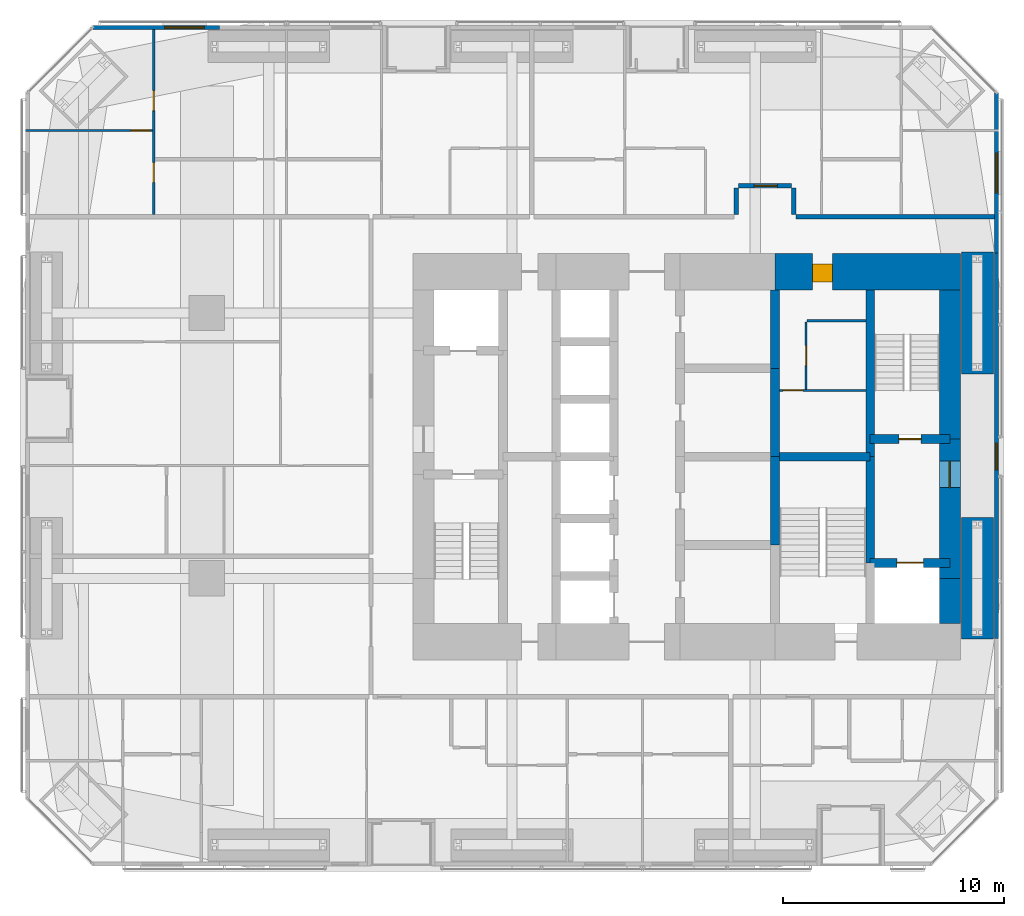
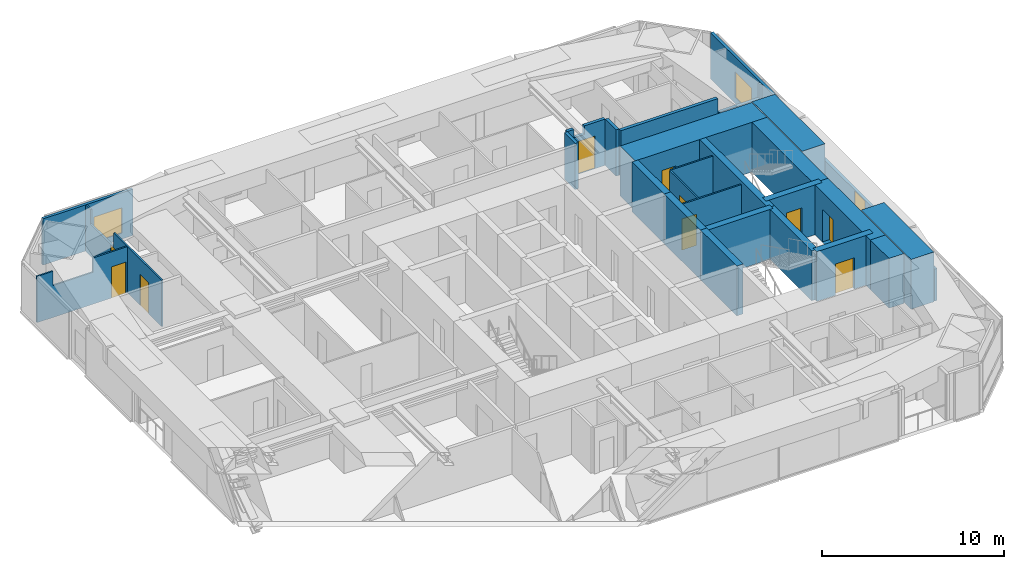
# One storey, part 19 of 22: 26 walls, 10 doors, 3 windows, 13 openings.
"""IFC4 building model written with IfcOpenShell, lengths in metres."""

from ifc_helpers import new_model, si_unit, direction, frame, frame_2d, origin, place, context, subcontext, project, spatial, polyline, rectangle, outline, extrude, material, layer, layer_set, constituent, constituent_set, type_object, element, fill, save


model = new_model("IFC4")

# Units and contexts
model_context = context("Model", 3, precision=1e-05, world=origin(), true_north=direction((0.0, 1.0)))
body_context = subcontext(model_context, "Body", "Model", "MODEL_VIEW")
ifc_project = project(units=[si_unit("LENGTHUNIT", "METRE"), si_unit("AREAUNIT", "SQUARE_METRE"), si_unit("VOLUMEUNIT", "CUBIC_METRE"), si_unit("PLANEANGLEUNIT", "RADIAN"), si_unit("MASSUNIT", "GRAM", prefix="KILO")], contexts=[model_context])

# Site, building, storey
site_placement = place(None, origin())
site = spatial("IfcSite", under=ifc_project, at=site_placement, CompositionType="ELEMENT")
building_placement = place(site_placement, origin())
building = spatial("IfcBuilding", under=site, at=building_placement, Name="Jalousie Tower", CompositionType="ELEMENT")
storey_placement = place(building_placement, frame((0.0, 0.0, 67.89990234375)))
storey = spatial("IfcBuildingStorey", under=building, at=storey_placement, Name="L18", CompositionType="ELEMENT", Elevation=67.89990234375)

# Wall, opening, door
ifc_material_1 = material(Name="Concrete f'c 120 MPa", Category="concrete")
ifc_layer_1 = layer(ifc_material_1, 1.64990234375)
ifc_layer_set_1 = layer_set([ifc_layer_1], Name="Concrete f'c 120 MPa")
wall_type_1 = type_object("IfcWallType", Name="CORE WALL 1650", PredefinedType="SHEAR", material=ifc_layer_set_1)
wall_1_placement = place(storey_placement, frame((44.27490234375, 26.875, 0.0), z_axis=(0.0, 0.0, 1.0), x_axis=(-1.0, 0.0, 0.0)))
wall_1 = element("IfcWall", 1, at=wall_1_placement, inside=storey, type_object=wall_type_1, Name="Core wall NA L18", PredefinedType="SHEAR", context=body_context, shape_type="SweptSolid", body=[
    extrude(rectangle(XDim=8.375, YDim=1.64990234375, at=frame_2d((4.1875, 0.0))), origin(), (0.0, 0.0, 1.0), 3.35009765625),
])
opening_1_placement = place(wall_1_placement, frame((5.77490234375, 0.0, 0.0)))
opening_1 = element("IfcOpeningElement", 2, at=opening_1_placement, cuts=wall_1, Name="Opening D25", PredefinedType="OPENING", context=body_context, shape_type="SweptSolid", body=[
    extrude(rectangle(XDim=0.89990234375, YDim=2.10009765625, at=frame_2d((0.449951171875, 1.050048828125))), frame((0.0, 0.8349609375, 0.0), z_axis=(0.0, -1.0, 0.0), x_axis=(1.0, 0.0, 0.0)), (0.0, 0.0, 1.0), 1.669921875),
])
ifc_material_2 = material(Name="Steel fire door", Category="steel")
door_type_1 = type_object("IfcDoorType", Name="SERVICE LOBBY DOOR 900", OperationType="SINGLE_SWING_LEFT", PredefinedType="DOOR", material=ifc_material_2)
door_1_placement = place(opening_1_placement, origin())
door_1 = element("IfcDoor", 3, at=door_1_placement, inside=storey, type_object=door_type_1, Name="Service lobby door", OperationType="SINGLE_SWING_RIGHT", OverallHeight=2.10009765625, OverallWidth=0.89990234375, PredefinedType="DOOR", context=body_context, shape_type="SweptSolid", body=[
    extrude(rectangle(XDim=0.89990234375, YDim=2.10009765625, at=frame_2d((0.449951171875, 1.050048828125))), frame((0.0, 0.47021484375, 0.0), z_axis=(0.0, -1.0, 0.0), x_axis=(1.0, 0.0, 0.0)), (0.0, 0.0, 1.0), 0.800048828125),
])
fill(opening_1, door_1)

# Walls
ifc_material_3 = material(Name="Concrete f'c 120 MPa", Category="concrete")
ifc_layer_2 = layer(ifc_material_3, 0.39990234375)
ifc_layer_set_2 = layer_set([ifc_layer_2], Name="Concrete f'c 120 MPa")
wall_type_2 = type_object("IfcWallType", Name="CORE WALL 400", PredefinedType="SHEAR", material=ifc_layer_set_2)
for number, where, z_axis, x_axis, name in (
    (4, (35.89990234375, 14.5, 0.0), (0.0, 0.0, 1.0), (0.0, 1.0, 0.0), "Core wall X35.9B L18"),
    (5, (35.89990234375, 18.5, 0.0), (0.0, 0.0, 1.0), (0.0, 1.0, 0.0), "Core wall X35.9C L18"),
):
    element("IfcWall", number, at=place(storey_placement, frame(where, z_axis=z_axis, x_axis=x_axis)), inside=storey, type_object=wall_type_2, Name=name, PredefinedType="SHEAR", context=body_context, shape_type="SweptSolid", body=[
        extrude(rectangle(XDim=4.0, YDim=0.39990234375, at=frame_2d((2.0, 0.0))), origin(), (0.0, 0.0, 1.0), 3.35009765625),
    ])
wall_2_placement = place(storey_placement, frame((35.89990234375, 22.5, 0.0), z_axis=(0.0, 0.0, 1.0), x_axis=(0.0, 1.0, 0.0)))
element("IfcWall", 6, at=wall_2_placement, inside=storey, type_object=wall_type_2, Name="Core wall X35.9D L18", PredefinedType="SHEAR", context=body_context, shape_type="SweptSolid", body=[
    extrude(rectangle(XDim=3.550048828125, YDim=0.39990234375, at=frame_2d((1.77490234375, 0.0))), origin(), (0.0, 0.0, 1.0), 3.35009765625),
])
wall_3_placement = place(storey_placement, frame((40.199951171875, 13.699951171875, 0.0), z_axis=(0.0, 0.0, 1.0), x_axis=(0.0, 1.0, 0.0)))
element("IfcWall", 7, at=wall_3_placement, inside=storey, type_object=wall_type_2, Name="Core wall X40.2B L18", PredefinedType="SHEAR", context=body_context, shape_type="SweptSolid", body=[
    extrude(rectangle(XDim=4.800048828125, YDim=0.39990234375, at=frame_2d((2.39990234375, 0.0))), origin(), (0.0, 0.0, 1.0), 3.35009765625),
])
wall_4_placement = place(storey_placement, frame((40.199951171875, 18.5, 0.0), z_axis=(0.0, 0.0, 1.0), x_axis=(0.0, 1.0, 0.0)))
element("IfcWall", 8, at=wall_4_placement, inside=storey, type_object=wall_type_2, Name="Core wall X40.2C L18", PredefinedType="SHEAR", context=body_context, shape_type="SweptSolid", body=[
    extrude(rectangle(XDim=7.550048828125, YDim=0.39990234375, at=frame_2d((3.77490234375, 0.0))), origin(), (0.0, 0.0, 1.0), 3.35009765625),
])
wall_5_placement = place(storey_placement, frame((35.89990234375, 18.5, 0.0), z_axis=(0.0, 0.0, 1.0), x_axis=(1.0, 0.0, 0.0)))
element("IfcWall", 9, at=wall_5_placement, inside=storey, type_object=wall_type_2, Name="Core wall Y35.9-18.5 L18", PredefinedType="SHEAR", context=body_context, shape_type="SweptSolid", body=[
    extrude(rectangle(XDim=4.300048828125, YDim=0.39990234375, at=frame_2d((2.14990234375, 0.0))), origin(), (0.0, 0.0, 1.0), 3.35009765625),
])

# Wall, opening, door
wall_6_placement = place(storey_placement, frame((40.199951171875, 13.699951171875, 0.0), z_axis=(0.0, 0.0, 1.0), x_axis=(1.0, 0.0, 0.0)))
wall_6 = element("IfcWall", 10, at=wall_6_placement, inside=storey, type_object=wall_type_2, Name="Core wall Y40.2-13.7 L18", PredefinedType="SHEAR", context=body_context, shape_type="SweptSolid", body=[
    extrude(rectangle(XDim=3.60009765625, YDim=0.39990234375, at=frame_2d((1.800048828125, 0.0))), origin(), (0.0, 0.0, 1.0), 3.35009765625),
])
opening_2_placement = place(wall_6_placement, frame((1.199951171875, 0.0, 0.0)))
opening_2 = element("IfcOpeningElement", 11, at=opening_2_placement, cuts=wall_6, Name="Opening LD2", PredefinedType="OPENING", context=body_context, shape_type="SweptSolid", body=[
    extrude(rectangle(XDim=1.199951171875, YDim=2.10009765625, at=frame_2d((0.60009765625, 1.050048828125))), frame((0.0, 0.2099609375, 0.0), z_axis=(0.0, -1.0, 0.0), x_axis=(1.0, 0.0, 0.0)), (0.0, 0.0, 1.0), 0.419921875),
])
ifc_material_4 = material(Name="Steel lift landing door", Category="steel")
door_type_2 = type_object("IfcDoorType", Name="LIFT LANDING DOOR 1200", OperationType="SLIDING_TO_LEFT", PredefinedType="DOOR", material=ifc_material_4)
door_2_placement = place(opening_2_placement, origin())
door_2 = element("IfcDoor", 12, at=door_2_placement, inside=storey, type_object=door_type_2, Name="Lift F2 landing door", OperationType="SLIDING_TO_LEFT", OverallHeight=2.10009765625, OverallWidth=1.199951171875, PredefinedType="DOOR", context=body_context, shape_type="SweptSolid", body=[
    extrude(rectangle(XDim=1.199951171875, YDim=2.10009765625, at=frame_2d((0.60009765625, 1.050048828125))), frame((0.0, 0.02490234375, 0.0), z_axis=(0.0, -1.0, 0.0), x_axis=(1.0, 0.0, 0.0)), (0.0, 0.0, 1.0), 0.050048828125),
])
fill(opening_2, door_2)

wall_7_placement = place(storey_placement, frame((40.199951171875, 19.300048828125, 0.0), z_axis=(0.0, 0.0, 1.0), x_axis=(1.0, 0.0, 0.0)))
wall_7 = element("IfcWall", 13, at=wall_7_placement, inside=storey, type_object=wall_type_2, Name="Core wall Y40.2-19.3 L18", PredefinedType="SHEAR", context=body_context, shape_type="SweptSolid", body=[
    extrude(rectangle(XDim=3.60009765625, YDim=0.39990234375, at=frame_2d((1.800048828125, 0.0))), origin(), (0.0, 0.0, 1.0), 3.35009765625),
])
opening_3_placement = place(wall_7_placement, frame((1.300048828125, 0.0, 0.0)))
opening_3 = element("IfcOpeningElement", 14, at=opening_3_placement, cuts=wall_7, Name="Opening D10", PredefinedType="OPENING", context=body_context, shape_type="SweptSolid", body=[
    extrude(rectangle(XDim=1.0, YDim=2.10009765625, at=frame_2d((0.5, 1.050048828125))), frame((0.0, 0.2099609375, 0.0), z_axis=(0.0, -1.0, 0.0), x_axis=(1.0, 0.0, 0.0)), (0.0, 0.0, 1.0), 0.419921875),
])
ifc_material_5 = material(Name="Steel fire door", Category="steel")
door_type_3 = type_object("IfcDoorType", Name="STAIR DOOR 1000", OperationType="SINGLE_SWING_LEFT", PredefinedType="DOOR", material=ifc_material_5)
door_3_placement = place(opening_3_placement, origin())
door_3 = element("IfcDoor", 15, at=door_3_placement, inside=storey, type_object=door_type_3, Name="Exit stair B door", OperationType="SINGLE_SWING_RIGHT", OverallHeight=2.10009765625, OverallWidth=1.0, PredefinedType="DOOR", context=body_context, shape_type="SweptSolid", body=[
    extrude(rectangle(XDim=1.0, YDim=2.10009765625, at=frame_2d((0.5, 1.050048828125))), frame((0.0, 0.02490234375, 0.0), z_axis=(0.0, -1.0, 0.0), x_axis=(1.0, 0.0, 0.0)), (0.0, 0.0, 1.0), 0.050048828125),
])
fill(opening_3, door_3)

# Wall
ifc_material_6 = material(Name="Concrete f'c 120 MPa", Category="concrete")
ifc_layer_3 = layer(ifc_material_6, 0.949951171875)
ifc_layer_set_3 = layer_set([ifc_layer_3], Name="Concrete f'c 120 MPa")
wall_type_3 = type_object("IfcWallType", Name="CORE WALL 950", PredefinedType="SHEAR", material=ifc_layer_set_3)
wall_8_placement = place(storey_placement, frame((43.800048828125, 10.949951171875, 0.0), z_axis=(0.0, 0.0, 1.0), x_axis=(0.0, 1.0, 0.0)))
element("IfcWall", 16, at=wall_8_placement, inside=storey, type_object=wall_type_3, Name="Core wall EA L18", PredefinedType="SHEAR", context=body_context, shape_type="SweptSolid", body=[
    extrude(rectangle(XDim=2.050048828125, YDim=0.949951171875, at=frame_2d((1.02490234375, 0.0))), origin(), (0.0, 0.0, 1.0), 3.35009765625),
])

# Wall, opening, door
wall_9_placement = place(storey_placement, frame((43.800048828125, 13.0, 0.0), z_axis=(0.0, 0.0, 1.0), x_axis=(0.0, 1.0, 0.0)))
wall_9 = element("IfcWall", 17, at=wall_9_placement, inside=storey, type_object=wall_type_3, Name="Core wall EB L18", PredefinedType="SHEAR", context=body_context, shape_type="SweptSolid", body=[
    extrude(rectangle(XDim=6.300048828125, YDim=0.949951171875, at=frame_2d((3.14990234375, 0.0))), origin(), (0.0, 0.0, 1.0), 3.35009765625),
])
opening_4_placement = place(wall_9_placement, frame((4.10009765625, 0.0, 0.0)))
opening_4 = element("IfcOpeningElement", 18, at=opening_4_placement, cuts=wall_9, Name="Opening D11", PredefinedType="OPENING", context=body_context, shape_type="SweptSolid", body=[
    extrude(rectangle(XDim=1.199951171875, YDim=2.199951171875, at=frame_2d((0.60009765625, 1.10009765625))), frame((0.0, 0.48486328125, 0.0), z_axis=(0.0, -1.0, 0.0), x_axis=(1.0, 0.0, 0.0)), (0.0, 0.0, 1.0), 0.969970703125),
])
ifc_material_7 = material(Name="Steel fire door", Category="steel")
door_type_4 = type_object("IfcDoorType", Name="FIRE DOOR 1200", OperationType="SINGLE_SWING_LEFT", PredefinedType="DOOR", material=ifc_material_7)
door_4_placement = place(opening_4_placement, origin())
door_4 = element("IfcDoor", 19, at=door_4_placement, inside=storey, type_object=door_type_4, Name="Fire-fighting lobby B door", OperationType="SINGLE_SWING_RIGHT", OverallHeight=2.199951171875, OverallWidth=1.199951171875, PredefinedType="DOOR", context=body_context, shape_type="SweptSolid", body=[
    extrude(rectangle(XDim=1.199951171875, YDim=2.199951171875, at=frame_2d((0.60009765625, 1.10009765625))), frame((0.0, 0.02490234375, 0.0), z_axis=(0.0, -1.0, 0.0), x_axis=(1.0, 0.0, 0.0)), (0.0, 0.0, 1.0), 0.050048828125),
])
fill(opening_4, door_4)

# Walls
wall_10_placement = place(storey_placement, frame((43.800048828125, 19.300048828125, 0.0), z_axis=(0.0, 0.0, 1.0), x_axis=(0.0, 1.0, 0.0)))
element("IfcWall", 20, at=wall_10_placement, inside=storey, type_object=wall_type_3, Name="Core wall EC L18", PredefinedType="SHEAR", context=body_context, shape_type="SweptSolid", body=[
    extrude(rectangle(XDim=6.75, YDim=0.949951171875, at=frame_2d((3.375, 0.0))), origin(), (0.0, 0.0, 1.0), 3.35009765625),
])
ifc_material_8 = material(Name="Concrete block ASTM C90", Category="concrete")
ifc_constituent_1 = constituent(ifc_material_8, Name="Body")
ifc_material_9 = material(Name="Render")
ifc_constituent_2 = constituent(ifc_material_9, Name="Finish")
ifc_constituent_set_1 = constituent_set(constituents=[ifc_constituent_1, ifc_constituent_2])
wall_type_4 = type_object("IfcWallType", Name="CORRIDOR WALL 200", PredefinedType="PARTITIONING", material=ifc_constituent_set_1)
wall_11_placement = place(storey_placement, frame((36.85009765625, 29.35009765625, 0.0), z_axis=(0.0, 0.0, 1.0), x_axis=(1.0, 0.0, 0.0)))
element("IfcWall", 21, at=wall_11_placement, inside=storey, type_object=wall_type_4, Name="Corridor Wall 200 L18", PredefinedType="PARTITIONING", context=body_context, shape_type="SweptSolid", body=[
    extrude(outline(polyline([(0.0, 0.0), (9.14990234375, 0.0), (9.14990234375, 3.110107421875), (8.82177734375, 3.110107421875), (8.82177734375, 2.150146484375), (6.16748046875, 2.150146484375), (6.16748046875, 3.110107421875), (0.0, 3.110107421875), (0.0, 0.0)])), frame((0.0, 0.10009765625, 0.0), z_axis=(0.0, -1.0, 0.0), x_axis=(1.0, 0.0, 0.0)), (0.0, 0.0, 1.0), 0.199951171875),
])

# Wall, opening, door
wall_12_placement = place(storey_placement, frame((34.25, 30.75, 0.0), z_axis=(0.0, 0.0, 1.0), x_axis=(1.0, 0.0, 0.0)))
wall_12 = element("IfcWall", 22, at=wall_12_placement, inside=storey, type_object=wall_type_4, Name="Corridor Wall 200 L18", PredefinedType="PARTITIONING", context=body_context, shape_type="SweptSolid", body=[
    extrude(outline(polyline([(0.0, 0.0), (2.39990234375, 0.0), (2.39990234375, 3.110107421875), (1.08740234375, 3.110107421875), (1.08740234375, 2.541015625), (0.41259765625, 2.541015625), (0.41259765625, 3.110107421875), (0.0, 3.110107421875), (0.0, 0.0)])), frame((0.0, 0.10009765625, 0.0), z_axis=(0.0, -1.0, 0.0), x_axis=(1.0, 0.0, 0.0)), (0.0, 0.0, 1.0), 0.199951171875),
])
opening_5_placement = place(wall_12_placement, frame((0.699951171875, 0.0, 0.0)))
opening_5 = element("IfcOpeningElement", 23, at=opening_5_placement, cuts=wall_12, Name="Opening D1", PredefinedType="OPENING", context=body_context, shape_type="SweptSolid", body=[
    extrude(rectangle(XDim=1.050048828125, YDim=2.199951171875, at=frame_2d((0.52490234375, 1.10009765625))), frame((0.0, 0.10986328125, 0.0), z_axis=(0.0, -1.0, 0.0), x_axis=(1.0, 0.0, 0.0)), (0.0, 0.0, 1.0), 0.219970703125),
])
ifc_material_10 = material(Name="Timber fire door", Category="wood")
door_type_5 = type_object("IfcDoorType", Name="APARTMENT ENTRANCE DOOR 1050", OperationType="SINGLE_SWING_LEFT", PredefinedType="DOOR", material=ifc_material_10)
door_5_placement = place(opening_5_placement, origin())
door_5 = element("IfcDoor", 24, at=door_5_placement, inside=storey, type_object=door_type_5, Name="Apartment 1804 entrance", OperationType="SINGLE_SWING_RIGHT", OverallHeight=2.199951171875, OverallWidth=1.050048828125, PredefinedType="DOOR", context=body_context, shape_type="SweptSolid", body=[
    extrude(rectangle(XDim=1.050048828125, YDim=2.199951171875, at=frame_2d((0.52490234375, 1.10009765625))), frame((0.0, 0.02490234375, 0.0), z_axis=(0.0, -1.0, 0.0), x_axis=(1.0, 0.0, 0.0)), (0.0, 0.0, 1.0), 0.050048828125),
])
fill(opening_5, door_5)

# Walls
for number, where, z_axis, x_axis, name in (
    (25, (34.14990234375, 29.449951171875, 0.0), (0.0, 0.0, 1.0), (0.0, 1.0, 0.0), "Corridor Wall 200 L18"),
    (26, (36.75, 29.449951171875, 0.0), (0.0, 0.0, 1.0), (0.0, 1.0, 0.0), "Corridor Wall 200 L18"),
):
    element("IfcWall", number, at=place(storey_placement, frame(where, z_axis=z_axis, x_axis=x_axis)), inside=storey, type_object=wall_type_4, Name=name, PredefinedType="PARTITIONING", context=body_context, shape_type="SweptSolid", body=[
        extrude(rectangle(XDim=1.199951171875, YDim=0.199951171875, at=frame_2d((0.60009765625, 0.0))), origin(), (0.0, 0.0, 1.0), 3.110107421875),
    ])

# Wall, opening, window
ifc_material_11 = material(Name="Concrete f'c 40 MPa", Category="concrete")
ifc_constituent_3 = constituent(ifc_material_11, Name="Body")
ifc_material_12 = material(Name="Render, pastel coral")
ifc_constituent_4 = constituent(ifc_material_12, Name="Finish")
ifc_constituent_set_2 = constituent_set(constituents=[ifc_constituent_3, ifc_constituent_4])
wall_type_5 = type_object("IfcWallType", Name="EXTERNAL WALL 175 CORAL RENDER", PredefinedType="SOLIDWALL", material=ifc_constituent_set_2)
wall_13_placement = place(storey_placement, frame((45.91259765625, 10.282470703125, 0.0), z_axis=(0.0, 0.0, 1.0), x_axis=(0.0, 1.0, 0.0)))
wall_13 = element("IfcWall", 27, at=wall_13_placement, inside=storey, type_object=wall_type_5, Name="External Wall 175 Coral Render L18-B", PredefinedType="SOLIDWALL", context=body_context, shape_type="SweptSolid", body=[
    extrude(rectangle(XDim=17.43505859375, YDim=0.175048828125, at=frame_2d((8.717529296875, 0.0))), origin(), (0.0, 0.0, 1.0), 2.150146484375),
])
opening_6_placement = place(wall_13_placement, frame((7.617431640625, 0.0, 0.39990234375)))
opening_6 = element("IfcOpeningElement", 28, at=opening_6_placement, cuts=wall_13, Name="Opening W-COR170", PredefinedType="OPENING", context=body_context, shape_type="SweptSolid", body=[
    extrude(rectangle(XDim=1.199951171875, YDim=1.699951171875, at=frame_2d((0.60009765625, 0.85009765625))), frame((0.0, 0.097412109375, 0.0), z_axis=(0.0, -1.0, 0.0), x_axis=(1.0, 0.0, 0.0)), (0.0, 0.0, 1.0), 0.195068359375),
])
ifc_material_13 = material(Name="Aluminium frame, impact-rated glazing", Category="aluminium")
window_type_1 = type_object("IfcWindowType", Name="WINDOW COR 1200x1700", PartitioningType="SINGLE_PANEL", PredefinedType="WINDOW", material=ifc_material_13)
window_1_placement = place(opening_6_placement, origin())
window_1 = element("IfcWindow", 29, at=window_1_placement, inside=storey, type_object=window_type_1, Name="Corridor window", OverallHeight=1.699951171875, OverallWidth=1.199951171875, PartitioningType="SINGLE_PANEL", PredefinedType="WINDOW", context=body_context, shape_type="SweptSolid", body=[
    extrude(rectangle(XDim=1.199951171875, YDim=1.699951171875, at=frame_2d((0.60009765625, 0.85009765625))), frame((0.0, 0.030029296875, 0.0), z_axis=(0.0, -1.0, 0.0), x_axis=(1.0, 0.0, 0.0)), (0.0, 0.0, 1.0), 0.06005859375),
])
fill(opening_6, window_1)

wall_14_placement = place(storey_placement, frame((45.91259765625, 27.717529296875, 0.0), z_axis=(0.0, 0.0, 1.0), x_axis=(0.0, 1.0, 0.0)))
wall_14 = element("IfcWall", 30, at=wall_14_placement, inside=storey, type_object=wall_type_5, Name="External Wall 175 Coral Render L18-C", PredefinedType="SOLIDWALL", context=body_context, shape_type="SweptSolid", body=[
    extrude(rectangle(XDim=7.231201171875, YDim=0.175048828125, at=frame_2d((3.61572265625, 0.0))), origin(), (0.0, 0.0, 1.0), 3.110107421875),
])
opening_7_placement = place(wall_14_placement, frame((2.709228515625, 0.0, 0.39990234375)))
opening_7 = element("IfcOpeningElement", 31, at=opening_7_placement, cuts=wall_14, Name="Opening W-BED170", PredefinedType="OPENING", context=body_context, shape_type="SweptSolid", body=[
    extrude(rectangle(XDim=1.800048828125, YDim=1.699951171875, at=frame_2d((0.89990234375, 0.85009765625))), frame((0.0, 0.097412109375, 0.0), z_axis=(0.0, -1.0, 0.0), x_axis=(1.0, 0.0, 0.0)), (0.0, 0.0, 1.0), 0.195068359375),
])
ifc_material_14 = material(Name="Aluminium frame, impact-rated glazing", Category="aluminium")
window_type_2 = type_object("IfcWindowType", Name="WINDOW BED 1800x1700", PartitioningType="SINGLE_PANEL", PredefinedType="WINDOW", material=ifc_material_14)
window_2_placement = place(opening_7_placement, origin())
window_2 = element("IfcWindow", 32, at=window_2_placement, inside=storey, type_object=window_type_2, Name="Apartment 1804 bedroom 3 window", OverallHeight=1.699951171875, OverallWidth=1.800048828125, PartitioningType="SINGLE_PANEL", PredefinedType="WINDOW", context=body_context, shape_type="SweptSolid", body=[
    extrude(rectangle(XDim=1.800048828125, YDim=1.699951171875, at=frame_2d((0.89990234375, 0.85009765625))), frame((0.0, 0.030029296875, 0.0), z_axis=(0.0, -1.0, 0.0), x_axis=(1.0, 0.0, 0.0)), (0.0, 0.0, 1.0), 0.06005859375),
])
fill(opening_7, window_2)

wall_15_placement = place(storey_placement, frame((10.765380859375, 37.91259765625, 0.0), z_axis=(0.0, 0.0, 1.0), x_axis=(-1.0, 0.0, 0.0)))
wall_15 = element("IfcWall", 33, at=wall_15_placement, inside=storey, type_object=wall_type_5, Name="External Wall 175 Coral Render L18-B", PredefinedType="SOLIDWALL", context=body_context, shape_type="SweptSolid", body=[
    extrude(rectangle(XDim=5.714111328125, YDim=0.175048828125, at=frame_2d((2.85693359375, 0.0))), origin(), (0.0, 0.0, 1.0), 3.110107421875),
])
opening_8_placement = place(wall_15_placement, frame((0.680419921875, 0.0, 0.39990234375)))
opening_8 = element("IfcOpeningElement", 34, at=opening_8_placement, cuts=wall_15, Name="Opening W-BED170", PredefinedType="OPENING", context=body_context, shape_type="SweptSolid", body=[
    extrude(rectangle(XDim=1.800048828125, YDim=1.699951171875, at=frame_2d((0.89990234375, 0.85009765625))), frame((0.0, 0.097412109375, 0.0), z_axis=(0.0, -1.0, 0.0), x_axis=(1.0, 0.0, 0.0)), (0.0, 0.0, 1.0), 0.195068359375),
])
window_3_placement = place(opening_8_placement, origin())
window_3 = element("IfcWindow", 35, at=window_3_placement, inside=storey, type_object=window_type_2, Name="Apartment 1803 bedroom 2 window", OverallHeight=1.699951171875, OverallWidth=1.800048828125, PartitioningType="SINGLE_PANEL", PredefinedType="WINDOW", context=body_context, shape_type="SweptSolid", body=[
    extrude(rectangle(XDim=1.800048828125, YDim=1.699951171875, at=frame_2d((0.89990234375, 0.85009765625))), frame((0.0, 0.030029296875, 0.0), z_axis=(0.0, -1.0, 0.0), x_axis=(1.0, 0.0, 0.0)), (0.0, 0.0, 1.0), 0.06005859375),
])
fill(opening_8, window_3)

# Wall, openings, doors
ifc_material_15 = material(Name="Gypsum board", Category="gypsum")
ifc_constituent_5 = constituent(ifc_material_15, Name="Body")
ifc_material_16 = material(Name="Light-gauge steel studs ASTM A653 SS Grade 33", Category="steel")
ifc_constituent_6 = constituent(ifc_material_16, Name="Framing")
ifc_constituent_set_3 = constituent_set(constituents=[ifc_constituent_5, ifc_constituent_6])
wall_type_6 = type_object("IfcWallType", Name="PARTITION 100", PredefinedType="PARTITIONING", material=ifc_constituent_set_3)
wall_16_placement = place(storey_placement, frame((7.800048828125, 37.824951171875, 0.0), z_axis=(0.0, 0.0, 1.0), x_axis=(0.0, -1.0, 0.0)))
wall_16 = element("IfcWall", 36, at=wall_16_placement, inside=storey, type_object=wall_type_6, Name="Partition 100 L18", PredefinedType="PARTITIONING", context=body_context, shape_type="SweptSolid", body=[
    extrude(outline(polyline([(0.0, 0.0), (8.375, 0.0), (8.375, 3.110107421875), (3.10498046875, 3.110107421875), (3.10498046875, 2.150146484375), (0.53466796875, 2.150146484375), (0.53466796875, 3.110107421875), (0.0, 3.110107421875), (0.0, 0.0)])), frame((0.0, 0.050048828125, 0.0), z_axis=(0.0, -1.0, 0.0), x_axis=(1.0, 0.0, 0.0)), (0.0, 0.0, 1.0), 0.10009765625),
])
opening_9_placement = place(wall_16_placement, frame((2.771728515625, 0.0, 0.0)))
opening_9 = element("IfcOpeningElement", 37, at=opening_9_placement, cuts=wall_16, Name="Opening D2", PredefinedType="OPENING", context=body_context, shape_type="SweptSolid", body=[
    extrude(rectangle(XDim=0.89990234375, YDim=2.10009765625, at=frame_2d((0.449951171875, 1.050048828125))), frame((0.0, 0.06005859375, 0.0), z_axis=(0.0, -1.0, 0.0), x_axis=(1.0, 0.0, 0.0)), (0.0, 0.0, 1.0), 0.1201171875),
])
opening_10_placement = place(wall_16_placement, frame((6.023193359375, 0.0, 0.0)))
opening_10 = element("IfcOpeningElement", 38, at=opening_10_placement, cuts=wall_16, Name="Opening D3", PredefinedType="OPENING", context=body_context, shape_type="SweptSolid", body=[
    extrude(rectangle(XDim=0.89990234375, YDim=2.10009765625, at=frame_2d((0.449951171875, 1.050048828125))), frame((0.0, 0.06005859375, 0.0), z_axis=(0.0, -1.0, 0.0), x_axis=(1.0, 0.0, 0.0)), (0.0, 0.0, 1.0), 0.1201171875),
])
ifc_material_17 = material(Name="Timber door", Category="wood")
door_type_6 = type_object("IfcDoorType", Name="BATHROOM DOOR 900", OperationType="SINGLE_SWING_LEFT", PredefinedType="DOOR", material=ifc_material_17)
door_6_placement = place(opening_10_placement, origin())
door_6 = element("IfcDoor", 39, at=door_6_placement, inside=storey, type_object=door_type_6, Name="Apartment 1803 bedroom 1 bathroom door", OperationType="SINGLE_SWING_LEFT", OverallHeight=2.10009765625, OverallWidth=0.89990234375, PredefinedType="DOOR", context=body_context, shape_type="SweptSolid", body=[
    extrude(rectangle(XDim=0.89990234375, YDim=2.10009765625, at=frame_2d((0.449951171875, 1.050048828125))), frame((0.0, 0.02490234375, 0.0), z_axis=(0.0, -1.0, 0.0), x_axis=(1.0, 0.0, 0.0)), (0.0, 0.0, 1.0), 0.050048828125),
])
fill(opening_10, door_6)
ifc_material_18 = material(Name="Timber door", Category="wood")
door_type_7 = type_object("IfcDoorType", Name="BEDROOM DOOR 900", OperationType="SINGLE_SWING_LEFT", PredefinedType="DOOR", material=ifc_material_18)
door_7_placement = place(opening_9_placement, origin())
door_7 = element("IfcDoor", 40, at=door_7_placement, inside=storey, type_object=door_type_7, Name="Apartment 1803 bedroom 1 door", OperationType="SINGLE_SWING_RIGHT", OverallHeight=2.10009765625, OverallWidth=0.89990234375, PredefinedType="DOOR", context=body_context, shape_type="SweptSolid", body=[
    extrude(rectangle(XDim=0.89990234375, YDim=2.10009765625, at=frame_2d((0.449951171875, 1.050048828125))), frame((0.0, 0.02490234375, 0.0), z_axis=(0.0, -1.0, 0.0), x_axis=(1.0, 0.0, 0.0)), (0.0, 0.0, 1.0), 0.050048828125),
])
fill(opening_9, door_7)

# Wall, opening, door
wall_17_placement = place(storey_placement, frame((2.0, 33.25341796875, 0.0), z_axis=(0.0, 0.0, 1.0), x_axis=(1.0, 0.0, 0.0)))
wall_17 = element("IfcWall", 41, at=wall_17_placement, inside=storey, type_object=wall_type_6, Name="Partition 100 L18", PredefinedType="PARTITIONING", context=body_context, shape_type="SweptSolid", body=[
    extrude(outline(polyline([(0.0, 0.0), (5.75, 0.0), (5.75, 3.110107421875), (3.564697265625, 3.110107421875), (3.564697265625, 2.150146484375), (1.011962890625, 2.150146484375), (1.011962890625, 3.110107421875), (0.0, 3.110107421875), (0.0, 0.0)])), frame((0.0, 0.050048828125, 0.0), z_axis=(0.0, -1.0, 0.0), x_axis=(1.0, 0.0, 0.0)), (0.0, 0.0, 1.0), 0.10009765625),
])
opening_11_placement = place(wall_17_placement, frame((4.75, 0.0, 0.0)))
opening_11 = element("IfcOpeningElement", 42, at=opening_11_placement, cuts=wall_17, Name="Opening D7", PredefinedType="OPENING", context=body_context, shape_type="SweptSolid", body=[
    extrude(rectangle(XDim=0.89990234375, YDim=2.10009765625, at=frame_2d((0.449951171875, 1.050048828125))), frame((0.0, 0.06005859375, 0.0), z_axis=(0.0, -1.0, 0.0), x_axis=(1.0, 0.0, 0.0)), (0.0, 0.0, 1.0), 0.1201171875),
])
ifc_material_19 = material(Name="Timber door", Category="wood")
door_type_8 = type_object("IfcDoorType", Name="INTERNAL DOOR 900", OperationType="SINGLE_SWING_LEFT", PredefinedType="DOOR", material=ifc_material_19)
door_8_placement = place(opening_11_placement, frame((0.89990234375, 0.0, 0.0), z_axis=(0.0, 0.0, 1.0), x_axis=(-1.0, 0.0, 0.0)))
door_8 = element("IfcDoor", 43, at=door_8_placement, inside=storey, type_object=door_type_8, Name="Apartment 1803 bedroom 1 dressing hall door", OperationType="SINGLE_SWING_LEFT", OverallHeight=2.10009765625, OverallWidth=0.89990234375, PredefinedType="DOOR", context=body_context, shape_type="SweptSolid", body=[
    extrude(rectangle(XDim=0.89990234375, YDim=2.10009765625, at=frame_2d((0.449951171875, 1.050048828125))), frame((0.0, 0.02490234375, 0.0), z_axis=(0.0, -1.0, 0.0), x_axis=(1.0, 0.0, 0.0)), (0.0, 0.0, 1.0), 0.050048828125),
])
fill(opening_11, door_8)

# Wall
wall_18_placement = place(storey_placement, frame((37.35009765625, 24.64990234375, 0.0), z_axis=(0.0, 0.0, 1.0), x_axis=(1.0, 0.0, 0.0)))
element("IfcWall", 44, at=wall_18_placement, inside=storey, type_object=wall_type_6, Name="Partition 100 L18", PredefinedType="PARTITIONING", context=body_context, shape_type="SweptSolid", body=[
    extrude(rectangle(XDim=2.64990234375, YDim=0.10009765625, at=frame_2d((1.324951171875, 0.0))), origin(), (0.0, 0.0, 1.0), 3.110107421875),
])

# Wall, opening, door
wall_19_placement = place(storey_placement, frame((37.300048828125, 21.550048828125, 0.0), z_axis=(0.0, 0.0, 1.0), x_axis=(0.0, 1.0, 0.0)))
wall_19 = element("IfcWall", 45, at=wall_19_placement, inside=storey, type_object=wall_type_6, Name="Partition 100 L18", PredefinedType="PARTITIONING", context=body_context, shape_type="SweptSolid", body=[
    extrude(rectangle(XDim=3.050048828125, YDim=0.10009765625, at=frame_2d((1.52490234375, 0.0))), origin(), (0.0, 0.0, 1.0), 3.110107421875),
])
opening_12_placement = place(wall_19_placement, frame((1.074951171875, 0.0, 0.0)))
opening_12 = element("IfcOpeningElement", 46, at=opening_12_placement, cuts=wall_19, Name="Opening D7", PredefinedType="OPENING", context=body_context, shape_type="SweptSolid", body=[
    extrude(rectangle(XDim=0.89990234375, YDim=2.10009765625, at=frame_2d((0.449951171875, 1.050048828125))), frame((0.0, 0.06005859375, 0.0), z_axis=(0.0, -1.0, 0.0), x_axis=(1.0, 0.0, 0.0)), (0.0, 0.0, 1.0), 0.1201171875),
])
door_9_placement = place(opening_12_placement, frame((0.89990234375, 0.0, 0.0), z_axis=(0.0, 0.0, 1.0), x_axis=(-1.0, 0.0, 0.0)))
door_9 = element("IfcDoor", 47, at=door_9_placement, inside=storey, type_object=door_type_8, Name="Ice and vending room door", OperationType="SINGLE_SWING_LEFT", OverallHeight=2.10009765625, OverallWidth=0.89990234375, PredefinedType="DOOR", context=body_context, shape_type="SweptSolid", body=[
    extrude(rectangle(XDim=0.89990234375, YDim=2.10009765625, at=frame_2d((0.449951171875, 1.050048828125))), frame((0.0, 0.02490234375, 0.0), z_axis=(0.0, -1.0, 0.0), x_axis=(1.0, 0.0, 0.0)), (0.0, 0.0, 1.0), 0.050048828125),
])
fill(opening_12, door_9)

wall_20_placement = place(storey_placement, frame((36.10009765625, 21.5, 0.0), z_axis=(0.0, 0.0, 1.0), x_axis=(1.0, 0.0, 0.0)))
wall_20 = element("IfcWall", 48, at=wall_20_placement, inside=storey, type_object=wall_type_6, Name="Partition 100 L18", PredefinedType="PARTITIONING", context=body_context, shape_type="SweptSolid", body=[
    extrude(rectangle(XDim=3.89990234375, YDim=0.10009765625, at=frame_2d((1.949951171875, 0.0))), origin(), (0.0, 0.0, 1.0), 3.110107421875),
])
opening_13_placement = place(wall_20_placement, frame((0.14990234375, 0.0, 0.0)))
opening_13 = element("IfcOpeningElement", 49, at=opening_13_placement, cuts=wall_20, Name="Opening D7", PredefinedType="OPENING", context=body_context, shape_type="SweptSolid", body=[
    extrude(rectangle(XDim=0.89990234375, YDim=2.10009765625, at=frame_2d((0.449951171875, 1.050048828125))), frame((0.0, 0.06005859375, 0.0), z_axis=(0.0, -1.0, 0.0), x_axis=(1.0, 0.0, 0.0)), (0.0, 0.0, 1.0), 0.1201171875),
])
door_10_placement = place(opening_13_placement, frame((0.89990234375, 0.0, 0.0), z_axis=(0.0, 0.0, 1.0), x_axis=(-1.0, 0.0, 0.0)))
door_10 = element("IfcDoor", 50, at=door_10_placement, inside=storey, type_object=door_type_8, Name="Linen store door", OperationType="SINGLE_SWING_RIGHT", OverallHeight=2.10009765625, OverallWidth=0.89990234375, PredefinedType="DOOR", context=body_context, shape_type="SweptSolid", body=[
    extrude(rectangle(XDim=0.89990234375, YDim=2.10009765625, at=frame_2d((0.449951171875, 1.050048828125))), frame((0.0, 0.02490234375, 0.0), z_axis=(0.0, -1.0, 0.0), x_axis=(1.0, 0.0, 0.0)), (0.0, 0.0, 1.0), 0.050048828125),
])
fill(opening_13, door_10)

# Walls
ifc_material_20 = material(Name="Concrete f'c 120 MPa", Category="concrete")
ifc_layer_4 = layer(ifc_material_20, 1.449951171875)
ifc_layer_set_4 = layer_set([ifc_layer_4], Name="Concrete f'c 120 MPa")
wall_type_7 = type_object("IfcWallType", Name="RC WALL PIER 1450", PredefinedType="SHEAR", material=ifc_layer_set_4)
for number, where, z_axis, x_axis, name in (
    (51, (45.050048828125, 10.25, 0.0), (0.0, 0.0, 1.0), (0.0, 1.0, 0.0), "Wall pier 06 L18"),
    (52, (45.050048828125, 22.25, 0.0), (0.0, 0.0, 1.0), (0.0, 1.0, 0.0), "Wall pier 07 L18"),
):
    element("IfcWall", number, at=place(storey_placement, frame(where, z_axis=z_axis, x_axis=x_axis)), inside=storey, type_object=wall_type_7, Name=name, PredefinedType="SHEAR", context=body_context, shape_type="SweptSolid", body=[
        extrude(rectangle(XDim=5.5, YDim=1.449951171875, at=frame_2d((2.75, 0.0))), origin(), (0.0, 0.0, 1.0), 3.35009765625),
    ])

save(model, "model.ifc")
